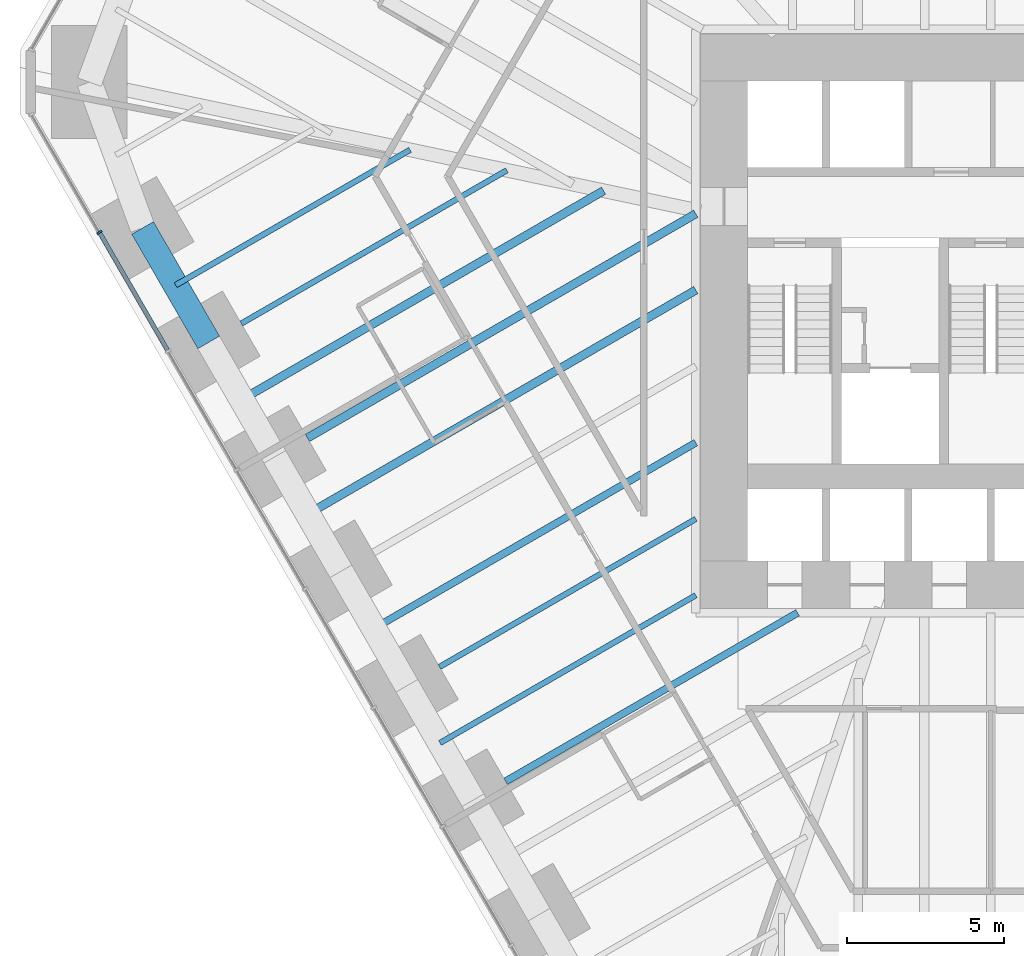
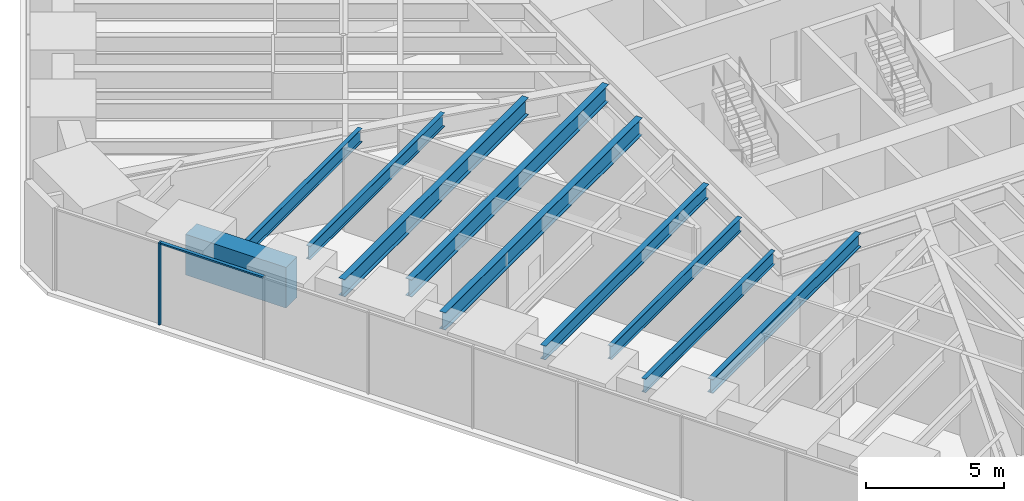
# One storey, part 3 of 17: 10 beams, 2 members, 1 element without a shape of its own.
"""IFC4 building model written with IfcOpenShell, lengths in metres."""

from ifc_helpers import new_model, si_unit, direction, frame, origin, origin_2d, place, context, subcontext, project, spatial, rectangle, i_section, extrude, material, material_profile, profile_set, type_object, element, aggregate, save


model = new_model("IFC4")

# Units and contexts
model_context = context("Model", 3, precision=1e-05, world=origin(), true_north=direction((0.0, 1.0)))
body_context = subcontext(model_context, "Body", "Model", "MODEL_VIEW")
ifc_project = project(units=[si_unit("LENGTHUNIT", "METRE"), si_unit("AREAUNIT", "SQUARE_METRE"), si_unit("VOLUMEUNIT", "CUBIC_METRE"), si_unit("PLANEANGLEUNIT", "RADIAN"), si_unit("MASSUNIT", "GRAM", prefix="KILO")], contexts=[model_context])

# Site, building, storey
site_placement = place(None, origin())
site = spatial("IfcSite", under=ifc_project, at=site_placement, CompositionType="ELEMENT")
building_placement = place(site_placement, origin())
building = spatial("IfcBuilding", under=site, at=building_placement, Name="Sandreach Pilgrim Tower", CompositionType="ELEMENT")
storey_placement = place(building_placement, frame((0.0, 0.0, 45.800048828125)))
storey = spatial("IfcBuildingStorey", under=building, at=storey_placement, Name="L10", CompositionType="ELEMENT", Elevation=45.800048828125)

# Curtain wall, members
ifc_material_1 = material(Name="Aluminium framed curtain wall", Category="aluminium")
curtain_wall_type = type_object("IfcCurtainWallType", Name="Hostel tower curtain wall", PredefinedType="NOTDEFINED", material=ifc_material_1)
curtain_wall_placement = place(storey_placement, origin())
curtain_wall = element("IfcCurtainWall", 1, at=curtain_wall_placement, inside=storey, type_object=curtain_wall_type, Name="CW-1 L10 SW", PredefinedType="NOTDEFINED")
ifc_material_2 = material(Name="Aluminium extrusion", Category="aluminium")
ifc_material_profile_1 = material_profile(ifc_material_2, rectangle(XDim=0.06494140625, YDim=0.179931640625, at=origin_2d()), Name="CW-1M 65X180")
ifc_profile_set_1 = profile_set([ifc_material_profile_1], Name="Aluminium extrusion")
member_type_1 = type_object("IfcMemberType", Name="CW-1 mullion", PredefinedType="MULLION", material=ifc_profile_set_1)
member_1_placement = place(storey_placement, frame((-28.390380859375, 1.2763671875, 0.0), z_axis=(0.0, 0.0, 1.0), x_axis=(-0.5, 0.866025403784, 0.0)))
member_1 = element("IfcMember", 2, at=member_1_placement, type_object=member_type_1, Name="CW-1 mullion 9", PredefinedType="MULLION", context=body_context, shape_type="SweptSolid", body=[
    extrude(rectangle(XDim=0.06494140625, YDim=0.179931640625, at=origin_2d()), origin(), (0.0, 0.0, 1.0), 3.639892578125),
])
ifc_material_3 = material(Name="Aluminium extrusion", Category="aluminium")
ifc_material_profile_2 = material_profile(ifc_material_3, rectangle(XDim=0.139892578125, YDim=0.070068359375, at=origin_2d()), Name="CW-1T 140X70")
ifc_profile_set_2 = profile_set([ifc_material_profile_2], Name="Aluminium extrusion")
member_type_2 = type_object("IfcMemberType", Name="CW-1 transom", PredefinedType="USERDEFINED", material=ifc_profile_set_2)
member_2_placement = place(storey_placement, frame((-26.220947265625, -2.4814453125, 3.60498046875), z_axis=(-0.500016891966, 0.866015650984, 0.0), x_axis=(-0.866015650984, -0.500016891966, 0.0)))
member_2 = element("IfcMember", 3, at=member_2_placement, type_object=member_type_2, Name="CW-1 head transom 8", ObjectType="TRANSOM", PredefinedType="USERDEFINED", context=body_context, shape_type="SweptSolid", body=[
    extrude(rectangle(XDim=0.139892578125, YDim=0.070068359375, at=origin_2d()), origin(), (0.0, 0.0, 1.0), 4.306396484375),
])
aggregate(curtain_wall, [member_1, member_2])

# Beams
ifc_material_4 = material(Name="Steel ASTM A992 Grade 50", Category="steel")
ifc_material_profile_3 = material_profile(ifc_material_4, i_section(OverallWidth=0.1787109375, OverallDepth=0.60205078125, WebThickness=0.010986328125, FlangeThickness=0.014892578125, at=origin_2d()), Name="W24X62")
ifc_profile_set_3 = profile_set([ifc_material_profile_3], Name="Steel ASTM A992 Grade 50")
beam_type_1 = type_object("IfcBeamType", Name="Floor beam W24X62", PredefinedType="BEAM", material=ifc_profile_set_3)
beam_1_placement = place(storey_placement, frame((-17.557373046875, -12.5673828125, 3.3388671875), z_axis=(0.866020839647, 0.500007905235, 0.0), x_axis=(-0.500007905235, 0.866020839647, 0.0)))
element("IfcBeam", 4, at=beam_1_placement, inside=storey, type_object=beam_type_1, Name="BM L10 F30", PredefinedType="BEAM", context=body_context, shape_type="SweptSolid", body=[
    extrude(i_section(OverallWidth=0.1787109375, OverallDepth=0.60205078125, WebThickness=0.010986328125, FlangeThickness=0.014892578125, at=origin_2d()), origin(), (0.0, 0.0, 1.0), 9.427001953125),
])
beam_2_placement = place(storey_placement, frame((-23.8720703125, -1.629638671875, 3.3388671875), z_axis=(0.866025751498, 0.499999397742, 0.0), x_axis=(-0.499999397742, 0.866025751498, 0.0)))
element("IfcBeam", 5, at=beam_2_placement, inside=storey, type_object=beam_type_1, Name="BM L10 F33", PredefinedType="BEAM", context=body_context, shape_type="SweptSolid", body=[
    extrude(i_section(OverallWidth=0.1787109375, OverallDepth=0.60205078125, WebThickness=0.010986328125, FlangeThickness=0.014892578125, at=origin_2d()), origin(), (0.0, 0.0, 1.0), 9.767578125),
])
beam_3_placement = place(storey_placement, frame((-17.5439453125, -14.990234375, 3.3388671875), z_axis=(0.86602359238, 0.500003137431, 0.0), x_axis=(-0.500003137431, 0.86602359238, 0.0)))
element("IfcBeam", 6, at=beam_3_placement, inside=storey, type_object=beam_type_1, Name="BM L10 FM29", PredefinedType="BEAM", context=body_context, shape_type="SweptSolid", body=[
    extrude(i_section(OverallWidth=0.1787109375, OverallDepth=0.60205078125, WebThickness=0.010986328125, FlangeThickness=0.014892578125, at=origin_2d()), origin(), (0.0, 0.0, 1.0), 9.41162109375),
])
beam_4_placement = place(storey_placement, frame((-25.9638671875, -0.40673828125, 3.3388671875), z_axis=(0.866020100198, 0.500009185969, 0.0), x_axis=(-0.500009185969, 0.866020100198, 0.0)))
element("IfcBeam", 7, at=beam_4_placement, inside=storey, type_object=beam_type_1, Name="BM L10 FM33", PredefinedType="BEAM", context=body_context, shape_type="SweptSolid", body=[
    extrude(i_section(OverallWidth=0.1787109375, OverallDepth=0.60205078125, WebThickness=0.010986328125, FlangeThickness=0.014892578125, at=origin_2d()), origin(), (0.0, 0.0, 1.0), 8.623291015625),
])
ifc_material_5 = material(Name="Steel ASTM A992 Grade 50", Category="steel")
ifc_material_profile_4 = material_profile(ifc_material_5, i_section(OverallWidth=0.23046875, OverallDepth=0.6171875, WebThickness=0.01318359375, FlangeThickness=0.022216796875, at=origin_2d()), Name="W24X94")
ifc_profile_set_4 = profile_set([ifc_material_profile_4], Name="Steel ASTM A992 Grade 50")
beam_type_2 = type_object("IfcBeamType", Name="Floor beam W24X94", PredefinedType="BEAM", material=ifc_profile_set_4)
beam_5_placement = place(storey_placement, frame((-15.452392578125, -16.213134765625, 3.331298828125), z_axis=(0.866028486751, 0.499994660107, 0.0), x_axis=(-0.499994660107, 0.866028486751, 0.0)))
element("IfcBeam", 8, at=beam_5_placement, inside=storey, type_object=beam_type_2, Name="BM L10 F29", PredefinedType="BEAM", context=body_context, shape_type="SweptSolid", body=[
    extrude(i_section(OverallWidth=0.23046875, OverallDepth=0.6171875, WebThickness=0.01318359375, FlangeThickness=0.022216796875, at=origin_2d()), origin(), (0.0, 0.0, 1.0), 10.73974609375),
])
beam_6_placement = place(storey_placement, frame((-19.64892578125, -11.34423828125, 3.331298828125), z_axis=(0.866032123691, 0.4999883606, 0.0), x_axis=(-0.4999883606, 0.866032123691, 0.0)))
element("IfcBeam", 9, at=beam_6_placement, inside=storey, type_object=beam_type_2, Name="BM L10 FM30", PredefinedType="BEAM", context=body_context, shape_type="SweptSolid", body=[
    extrude(i_section(OverallWidth=0.23046875, OverallDepth=0.6171875, WebThickness=0.01318359375, FlangeThickness=0.022216796875, at=origin_2d()), origin(), (0.0, 0.0, 1.0), 11.842041015625),
])
ifc_material_6 = material(Name="Steel ASTM A992 Grade 50", Category="steel")
ifc_material_profile_5 = material_profile(ifc_material_6, i_section(OverallWidth=0.2666015625, OverallDepth=0.761962890625, WebThickness=0.014404296875, FlangeThickness=0.021484375, at=origin_2d()), Name="W30X116")
ifc_profile_set_5 = profile_set([ifc_material_profile_5], Name="Steel ASTM A992 Grade 50")
beam_type_3 = type_object("IfcBeamType", Name="Floor beam W30X116", PredefinedType="BEAM", material=ifc_profile_set_5)
beam_7_placement = place(storey_placement, frame((-21.76708984375, -5.275390625, 3.259033203125), z_axis=(0.866024247282, 0.500002003116, 0.0), x_axis=(-0.500002003116, 0.866024247282, 0.0)))
element("IfcBeam", 10, at=beam_7_placement, inside=storey, type_object=beam_type_3, Name="BM L10 F32", PredefinedType="BEAM", context=body_context, shape_type="SweptSolid", body=[
    extrude(i_section(OverallWidth=0.2666015625, OverallDepth=0.761962890625, WebThickness=0.014404296875, FlangeThickness=0.021484375, at=origin_2d()), origin(), (0.0, 0.0, 1.0), 14.2880859375),
])
beam_8_placement = place(storey_placement, frame((-21.75390625, -7.698486328125, 3.259033203125), z_axis=(0.866022935671, 0.500004274874, 0.0), x_axis=(-0.500004274874, 0.866022935671, 0.0)))
element("IfcBeam", 11, at=beam_8_placement, inside=storey, type_object=beam_type_3, Name="BM L10 FM31", PredefinedType="BEAM", context=body_context, shape_type="SweptSolid", body=[
    extrude(i_section(OverallWidth=0.2666015625, OverallDepth=0.761962890625, WebThickness=0.014404296875, FlangeThickness=0.021484375, at=origin_2d()), origin(), (0.0, 0.0, 1.0), 14.27294921875),
])
beam_9_placement = place(storey_placement, frame((-23.85888671875, -4.052490234375, 3.259033203125), z_axis=(0.866029213426, 0.499993401449, 0.0), x_axis=(-0.499993401449, 0.866029213426, 0.0)))
element("IfcBeam", 12, at=beam_9_placement, inside=storey, type_object=beam_type_3, Name="BM L10 FM32", PredefinedType="BEAM", context=body_context, shape_type="SweptSolid", body=[
    extrude(i_section(OverallWidth=0.2666015625, OverallDepth=0.761962890625, WebThickness=0.014404296875, FlangeThickness=0.021484375, at=origin_2d()), origin(), (0.0, 0.0, 1.0), 13.311767578125),
])
ifc_material_7 = material(Name="Concrete 10000 psi", Category="concrete")
ifc_material_profile_6 = material_profile(ifc_material_7, rectangle(XDim=0.800048828125, YDim=1.800048828125, at=origin_2d()), Name="RC800X1800")
ifc_profile_set_6 = profile_set([ifc_material_profile_6], Name="Concrete 10000 psi")
beam_type_4 = type_object("IfcBeamType", Name="Spandrel beam RC800X1800", PredefinedType="SPANDREL", material=ifc_profile_set_6)
beam_10_placement = place(storey_placement, frame((-24.911376953125, -2.229736328125, 2.739990234375), z_axis=(-0.499993523031, 0.866029143232, 0.0), x_axis=(-0.866029143232, -0.499993523031, 0.0)))
element("IfcBeam", 13, at=beam_10_placement, inside=storey, type_object=beam_type_4, Name="BM L10 SP33", PredefinedType="SPANDREL", context=body_context, shape_type="SweptSolid", body=[
    extrude(rectangle(XDim=0.800048828125, YDim=1.800048828125, at=origin_2d()), origin(), (0.0, 0.0, 1.0), 4.2099609375),
])

save(model, "model.ifc")
